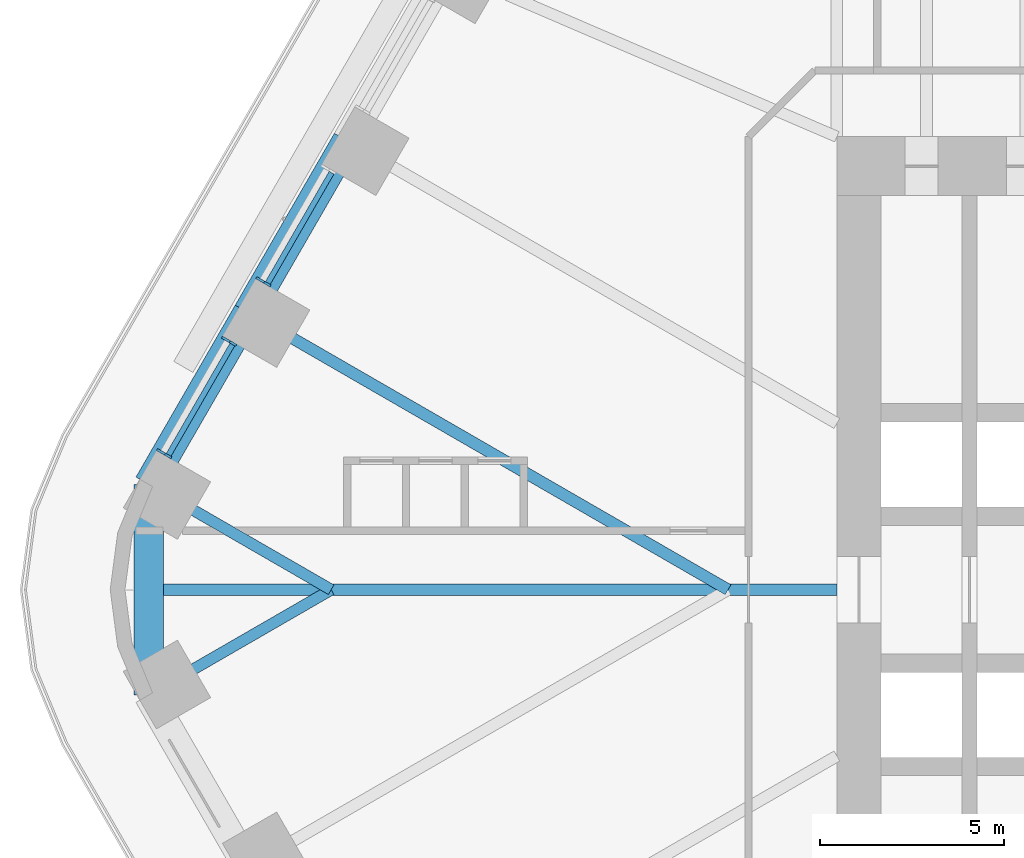
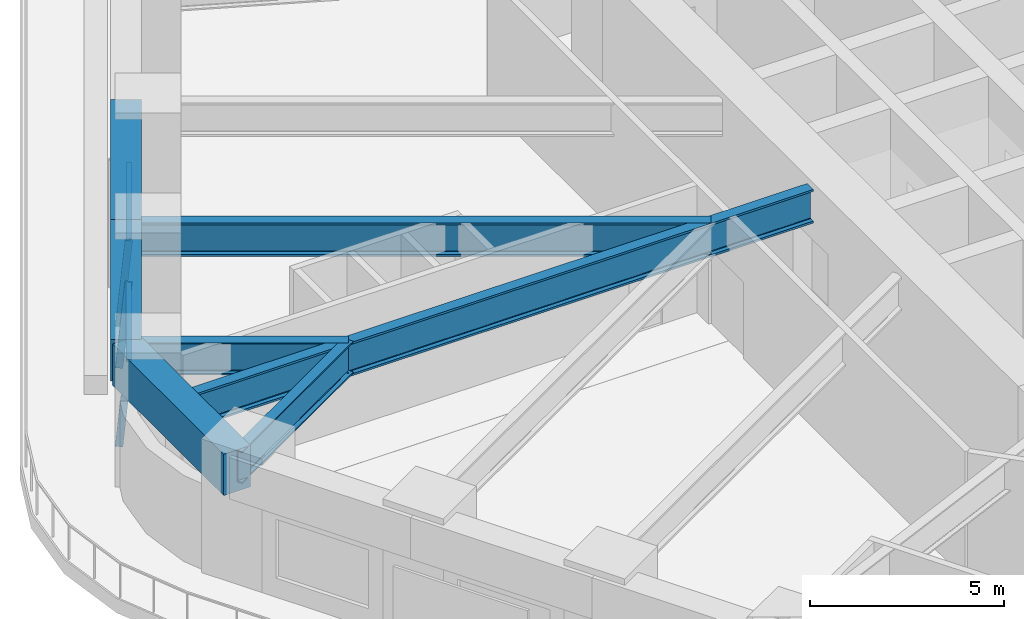
# One storey, part 6 of 23: 7 beams, 5 members, 2 elements without a shape of their own.
"""IFC4 building model written with IfcOpenShell, lengths in metres."""

import ifcopenshell
import ifcopenshell.guid

model = None  # the IFC model being written
_history = None  # IfcOwnerHistory: only IFC2X3 demands one
_inside = {}  # id of a spatial element -> (the spatial element, [elements in it])
_under = {}  # id of a project, library or spatial element -> (it, [spatial elements below it])
_declared = {}  # id of a project -> (the project, [libraries it declares])
_typed = {}  # id of a type object -> (the type object, [elements of that type])
_made_of = {}  # id of a material, layer set ... -> (it, [elements and type objects made of it])


def new_model(schema):
    """Start an empty IFC model of exactly this schema.

    Asked for "IFC4X3", IfcOpenShell would pick the latest addendum, in which some entities
    have other attributes; the version numbers below select the first issue.
    IFC2X3 requires an IfcOwnerHistory on every rooted entity: one is made here for all.
    """
    global model, _history
    if schema == "IFC4X3":
        model = ifcopenshell.file(schema_version=(4, 3, 0, 0))
    else:
        model = ifcopenshell.file(schema=schema)
    _inside.clear()
    _under.clear()
    _declared.clear()
    _typed.clear()
    _made_of.clear()
    _history = None
    if model.schema == "IFC2X3":
        org = make("IfcOrganization", Name="unknown")
        user = make(
            "IfcPersonAndOrganization",
            ThePerson=make("IfcPerson", FamilyName="unknown"),
            TheOrganization=org,
        )
        app = make(
            "IfcApplication",
            ApplicationDeveloper=org,
            Version="unknown",
            ApplicationFullName="unknown",
            ApplicationIdentifier="unknown",
        )
        _history = make(
            "IfcOwnerHistory",
            OwningUser=user,
            OwningApplication=app,
            ChangeAction="ADDED",
            CreationDate=0,
        )
    return model


def make(cls, **values):
    """One entity of the class cls with the attributes given. An attribute that is None is left unset."""
    return model.create_entity(
        cls, **{name: value for name, value in values.items() if value is not None}
    )


def rooted(cls, **values):
    """An entity with a GlobalId (a new one), such as an element, a storey or a relation."""
    return make(cls, GlobalId=ifcopenshell.guid.new(), OwnerHistory=_history, **values)


def si_unit(unit_type, name, prefix=None):
    """IfcSIUnit, for example si_unit("LENGTHUNIT", "METRE", prefix="MILLI")."""
    return make("IfcSIUnit", UnitType=unit_type, Prefix=prefix, Name=name)


def assignment(units):
    """IfcUnitAssignment: the units of a project."""
    return None if units is None else make("IfcUnitAssignment", Units=units)


def point(xyz):
    """IfcCartesianPoint."""
    return None if xyz is None else make("IfcCartesianPoint", Coordinates=xyz)


def direction(xyz):
    """IfcDirection."""
    return None if xyz is None else make("IfcDirection", DirectionRatios=xyz)


def frame(location, z_axis=None, x_axis=None):
    """IfcAxis2Placement3D, a coordinate frame: its origin and axes. An axis left out is left unset."""
    return make(
        "IfcAxis2Placement3D",
        Location=point(location),
        Axis=direction(z_axis),
        RefDirection=direction(x_axis),
    )


def frame_2d(location, x_axis=None):
    """IfcAxis2Placement2D, a coordinate frame in the plane: its origin and x axis."""
    return make(
        "IfcAxis2Placement2D", Location=point(location), RefDirection=direction(x_axis)
    )


def origin():
    """The frame at (0, 0, 0) with its axes left unset."""
    return frame((0.0, 0.0, 0.0))


def origin_2d():
    """The frame at (0, 0) in the plane with its x axis left unset."""
    return frame_2d((0.0, 0.0))


def place(relative_to, where):
    """IfcLocalPlacement: puts the frame where relative to a parent placement (None: the world)."""
    return make(
        "IfcLocalPlacement", PlacementRelTo=relative_to, RelativePlacement=where
    )


def context(
    kind, dimensions, precision=None, world=None, true_north=None, identifier=None
):
    """IfcGeometricRepresentationContext, for example the 3D "Model" context."""
    return make(
        "IfcGeometricRepresentationContext",
        ContextIdentifier=identifier,
        ContextType=kind,
        CoordinateSpaceDimension=dimensions,
        Precision=precision,
        WorldCoordinateSystem=world,
        TrueNorth=true_north,
    )


def subcontext(parent, identifier, kind, view, scale=None):
    """IfcGeometricRepresentationSubContext, for example "Body" below "Model"."""
    return make(
        "IfcGeometricRepresentationSubContext",
        ContextIdentifier=identifier,
        ContextType=kind,
        ParentContext=parent,
        TargetScale=scale,
        TargetView=view,
    )


def project(units=None, contexts=None):
    """IfcProject with its units and contexts."""
    return rooted(
        "IfcProject",
        Name="project",
        RepresentationContexts=contexts,
        UnitsInContext=assignment(units),
    )


def spatial(cls, under=None, at=None, **own):
    """A site, building, storey or space (cls), placed at a placement, below another one or the project."""
    s = rooted(cls, ObjectPlacement=at, **own)
    if under is not None:
        _under.setdefault(under.id(), (under, []))[1].append(s)
    return s


def profile(cls, at=None, kind="AREA", **sizes):
    """A parametric profile (cls). Its sizes go by their IFC names, for example OverallWidth=200.0."""
    return make(cls, ProfileType=kind, Position=at, **sizes)


def rectangle(**sizes):
    """IfcRectangleProfileDef."""
    return profile("IfcRectangleProfileDef", **sizes)


def i_section(**sizes):
    """IfcIShapeProfileDef."""
    return profile("IfcIShapeProfileDef", **sizes)


def extrude(swept, where, along, depth):
    """IfcExtrudedAreaSolid: the profile swept, set in the frame where, extruded along a direction by depth."""
    return make(
        "IfcExtrudedAreaSolid",
        SweptArea=swept,
        Position=where,
        ExtrudedDirection=direction(along),
        Depth=depth,
    )


def shape(context_of_items, identifier, shape_type, items):
    """IfcShapeRepresentation: the items that make up one representation, for example the "Body"."""
    return make(
        "IfcShapeRepresentation",
        ContextOfItems=context_of_items,
        RepresentationIdentifier=identifier,
        RepresentationType=shape_type,
        Items=items,
    )


def material(Name=None, Category=None):
    """IfcMaterial."""
    return make("IfcMaterial", Name=Name, Category=Category)


def material_profile(
    of_material, cross_section, Name=None, Category=None, Priority=None
):
    """IfcMaterialProfile: a cross section and its material."""
    return make(
        "IfcMaterialProfile",
        Name=Name,
        Material=of_material,
        Profile=cross_section,
        Priority=Priority,
        Category=Category,
    )


def profile_set(profiles, Name=None, composite=None):
    """IfcMaterialProfileSet."""
    return make(
        "IfcMaterialProfileSet",
        Name=Name,
        MaterialProfiles=profiles,
        CompositeProfile=composite,
    )


def made_of(thing, what):
    """Note that an element or type object is made of a material, layer set ...; save() writes the relation."""
    if what is not None:
        _made_of.setdefault(what.id(), (what, []))[1].append(thing)
    return thing


def type_object(cls, material=None, **own):
    """A type object (cls), such as IfcWallType, which elements share."""
    return made_of(rooted(cls, **own), material)


def element(
    cls,
    number,
    at=None,
    inside=None,
    cuts=None,
    type_object=None,
    material=None,
    context=None,
    identifier="Body",
    shape_type=None,
    held_by="IfcProductDefinitionShape",
    body=None,
    shapes=None,
    **own,
):
    """One element of the class cls, such as IfcWall. Its Tag is "e" and its number.

    at: its placement. inside: the storey or other place that contains it. cuts: it is an
    opening in that element (IfcRelVoidsElement). A single representation is given by context,
    identifier, shape_type and body (its items); several are given by shapes. held_by: the class
    of the entity that holds the representations. save() writes the other relations.
    """
    e = rooted(cls, Tag="e%d" % number, ObjectPlacement=at, **own)
    if body is not None:
        shapes = [shape(context, identifier, shape_type, body)]
    if shapes is not None:
        e.Representation = make(held_by, Representations=shapes)
    if inside is not None:
        _inside.setdefault(inside.id(), (inside, []))[1].append(e)
    if cuts is not None:
        rooted(
            "IfcRelVoidsElement", RelatingBuildingElement=cuts, RelatedOpeningElement=e
        )
    if type_object is not None:
        _typed.setdefault(type_object.id(), (type_object, []))[1].append(e)
    return made_of(e, material)


def aggregate(whole, parts):
    """IfcRelAggregates: a whole, such as a stair, and the parts it consists of."""
    return rooted("IfcRelAggregates", RelatingObject=whole, RelatedObjects=parts)


def save(model, path):
    """Write the relations noted so far, then the file.

    IfcRelAggregates (storeys below a building ...), IfcRelContainedInSpatialStructure (elements
    in a storey), IfcRelDefinesByType, IfcRelAssociatesMaterial and IfcRelDeclares: one each for
    every whole, place, type object, material and project.
    """
    for whole, parts in _under.values():
        aggregate(whole, parts)
    for where, things in _inside.values():
        rooted(
            "IfcRelContainedInSpatialStructure",
            RelatedElements=things,
            RelatingStructure=where,
        )
    for kind, things in _typed.values():
        rooted("IfcRelDefinesByType", RelatedObjects=things, RelatingType=kind)
    for what, things in _made_of.values():
        rooted("IfcRelAssociatesMaterial", RelatedObjects=things, RelatingMaterial=what)
    for by, libraries in _declared.values():
        rooted("IfcRelDeclares", RelatingContext=by, RelatedDefinitions=libraries)
    model.write(path)


model = new_model("IFC4")

# Units and contexts
model_context = context("Model", 3, precision=1e-05, world=origin(), true_north=direction((0.0, 1.0)))
body_context = subcontext(model_context, "Body", "Model", "MODEL_VIEW")
ifc_project = project(units=[si_unit("LENGTHUNIT", "METRE"), si_unit("AREAUNIT", "SQUARE_METRE"), si_unit("VOLUMEUNIT", "CUBIC_METRE"), si_unit("PLANEANGLEUNIT", "RADIAN"), si_unit("MASSUNIT", "GRAM", prefix="KILO")], contexts=[model_context])

# Site, building, storey
site_placement = place(None, origin())
site = spatial("IfcSite", under=ifc_project, at=site_placement, CompositionType="ELEMENT")
building_placement = place(site_placement, origin())
building = spatial("IfcBuilding", under=site, at=building_placement, Name="Tarfa Lantern Tower", CompositionType="ELEMENT")
storey_placement = place(building_placement, frame((0.0, 0.0, 86.5)))
storey = spatial("IfcBuildingStorey", under=building, at=storey_placement, Name="L19", CompositionType="ELEMENT", Elevation=86.5)

# Curtain wall, member
ifc_material_1 = material(Name="Aluminium framed curtain wall", Category="aluminium")
curtain_wall_type = type_object("IfcCurtainWallType", Name="CW1 CANTED GLAZING LOW ZONE 2700", PredefinedType="USERDEFINED", material=ifc_material_1)
curtain_wall_1_placement = place(storey_placement, origin())
curtain_wall_1 = element("IfcCurtainWall", 1, at=curtain_wall_1_placement, inside=storey, type_object=curtain_wall_type, Name="CW1 NW L19", ObjectType="CURTAIN WALL", PredefinedType="USERDEFINED")
ifc_material_2 = material(Name="Aluminium mullion", Category="aluminium")
ifc_material_profile_1 = material_profile(ifc_material_2, rectangle(XDim=0.06494140625, YDim=0.199951171875, at=origin_2d()), Name="AL MULLION 65x200")
ifc_profile_set_1 = profile_set([ifc_material_profile_1], Name="Aluminium mullion")
member_type_1 = type_object("IfcMemberType", Name="CWM1 MULLION 65x200", PredefinedType="MULLION", material=ifc_profile_set_1)
member_1_placement = place(storey_placement, frame((-34.280517578125, 8.42431640625, 0.0), z_axis=(0.079774955866, -0.04610020023, 0.995746317068), x_axis=(0.500342721131, 0.865827443207, 0.0)))
member_1 = element("IfcMember", 2, at=member_1_placement, type_object=member_type_1, Name="CW1 mullion 2", PredefinedType="MULLION", context=body_context, shape_type="SweptSolid", body=[
    extrude(rectangle(XDim=0.06494140625, YDim=0.199951171875, at=origin_2d()), origin(), (0.0, 0.0, 1.0), 2.71142578125),
])

# Curtain wall, members
curtain_wall_2_placement = place(storey_placement, origin())
curtain_wall_2 = element("IfcCurtainWall", 3, at=curtain_wall_2_placement, inside=storey, type_object=curtain_wall_type, Name="CW1 NW L19", ObjectType="CURTAIN WALL", PredefinedType="USERDEFINED")
member_2_placement = place(storey_placement, frame((-35.213134765625, 6.80908203125, 0.0), z_axis=(0.07986442134, -0.046099868913, 0.99573916077), x_axis=(0.499919672301, 0.866071776036, 0.0)))
member_2 = element("IfcMember", 4, at=member_2_placement, type_object=member_type_1, Name="CW1 mullion 1", PredefinedType="MULLION", context=body_context, shape_type="SweptSolid", body=[
    extrude(rectangle(XDim=0.06494140625, YDim=0.199951171875, at=origin_2d()), origin(), (0.0, 0.0, 1.0), 2.71142578125),
])
member_3_placement = place(storey_placement, frame((-36.974853515625, 3.757568359375, 0.0), z_axis=(0.07986442134, -0.046099868913, 0.99573916077), x_axis=(0.499919672301, 0.866071776036, 0.0)))
member_3 = element("IfcMember", 5, at=member_3_placement, type_object=member_type_1, Name="CW1 mullion 2", PredefinedType="MULLION", context=body_context, shape_type="SweptSolid", body=[
    extrude(rectangle(XDim=0.06494140625, YDim=0.199951171875, at=origin_2d()), origin(), (0.0, 0.0, 1.0), 2.71142578125),
])

# Member
ifc_material_3 = material(Name="Aluminium transom", Category="aluminium")
ifc_material_profile_2 = material_profile(ifc_material_3, rectangle(XDim=0.14990234375, YDim=0.06494140625, at=origin_2d()), Name="AL TRANSOM 150x65")
ifc_profile_set_2 = profile_set([ifc_material_profile_2], Name="Aluminium transom")
member_type_2 = type_object("IfcMemberType", Name="CWT1 TRANSOM 150x65", PredefinedType="USERDEFINED", material=ifc_profile_set_2)
member_4_placement = place(storey_placement, frame((-32.321044921875, 11.32421875, 2.66748046875), z_axis=(-0.500025915891, -0.866010440721, 0.0), x_axis=(0.866010440721, -0.500025915891, 0.0)))
member_4 = element("IfcMember", 6, at=member_4_placement, type_object=member_type_2, Name="CW1 transom 1.2", ObjectType="TRANSOM", PredefinedType="USERDEFINED", context=body_context, shape_type="SweptSolid", body=[
    extrude(rectangle(XDim=0.14990234375, YDim=0.06494140625, at=origin_2d()), origin(), (0.0, 0.0, 1.0), 3.458740234375),
])

aggregate(curtain_wall_1, [member_1, member_4])

member_5_placement = place(storey_placement, frame((-35.015380859375, 6.657470703125, 2.66748046875), z_axis=(-0.500025915891, -0.866010440721, 0.0), x_axis=(0.866010440721, -0.500025915891, 0.0)))
member_5 = element("IfcMember", 7, at=member_5_placement, type_object=member_type_2, Name="CW1 transom 1.2", ObjectType="TRANSOM", PredefinedType="USERDEFINED", context=body_context, shape_type="SweptSolid", body=[
    extrude(rectangle(XDim=0.14990234375, YDim=0.06494140625, at=origin_2d()), origin(), (0.0, 0.0, 1.0), 3.458740234375),
])

aggregate(curtain_wall_2, [member_2, member_3, member_5])

# Beams
ifc_material_4 = material(Name="Concrete C80/95", Category="concrete")
ifc_material_profile_3 = material_profile(ifc_material_4, rectangle(XDim=0.800048828125, YDim=1.300048828125, at=origin_2d()), Name="RC 800x1300")
ifc_profile_set_3 = profile_set([ifc_material_profile_3], Name="Concrete C80/95")
beam_type_1 = type_object("IfcBeamType", Name="EB1 RC 800x1300", PredefinedType="SPANDREL", material=ifc_profile_set_3)
beam_1_placement = place(storey_placement, frame((-31.896728515625, 12.193359375, 3.35009765625), z_axis=(-0.499998287579, -0.866026392449, 0.0), x_axis=(0.866026392449, -0.499998287579, 0.0)))
element("IfcBeam", 8, at=beam_1_placement, inside=storey, type_object=beam_type_1, Name="Edge beam NW4", PredefinedType="SPANDREL", context=body_context, shape_type="SweptSolid", body=[
    extrude(rectangle(XDim=0.800048828125, YDim=1.300048828125, at=origin_2d()), origin(), (0.0, 0.0, 1.0), 5.388671875),
])
beam_2_placement = place(storey_placement, frame((-34.591064453125, 7.526611328125, 3.35009765625), z_axis=(-0.500017906299, -0.866015065331, 0.0), x_axis=(0.866015065331, -0.500017906299, 0.0)))
element("IfcBeam", 9, at=beam_2_placement, inside=storey, type_object=beam_type_1, Name="Edge beam NW5", PredefinedType="SPANDREL", context=body_context, shape_type="SweptSolid", body=[
    extrude(rectangle(XDim=0.800048828125, YDim=1.300048828125, at=origin_2d()), origin(), (0.0, 0.0, 1.0), 5.388427734375),
])
beam_3_placement = place(storey_placement, frame((-37.285400390625, 2.860107421875, 3.35009765625), z_axis=(0.0, -1.0, 0.0), x_axis=(1.0, 0.0, 0.0)))
element("IfcBeam", 10, at=beam_3_placement, inside=storey, type_object=beam_type_1, Name="Edge beam NW6", PredefinedType="SPANDREL", context=body_context, shape_type="SweptSolid", body=[
    extrude(rectangle(XDim=0.800048828125, YDim=1.300048828125, at=origin_2d()), origin(), (0.0, 0.0, 1.0), 5.72021484375),
])
ifc_material_5 = material(Name="Steel S460M", Category="steel")
ifc_material_profile_4 = material_profile(ifc_material_5, i_section(OverallWidth=0.302001953125, OverallDepth=1.008056640625, WebThickness=0.02099609375, FlangeThickness=0.0400390625, FilletRadius=0.030029296875, at=origin_2d()), Name="UB1016x305x349")
ifc_profile_set_4 = profile_set([ifc_material_profile_4], Name="Steel S460M")
beam_type_2 = type_object("IfcBeamType", Name="UB1016x305x349", PredefinedType="BEAM", material=ifc_profile_set_4)
for number, where, z_axis, x_axis, name in (
    (11, (-37.285400390625, 2.860107421875, 3.495849609375), (0.866025668288, -0.499999541866, 0.0), (0.499999541866, 0.866025668288, 0.0), "Floor beam NW6"),
    (12, (-37.285400390625, -2.860107421875, 3.495849609375), (0.866025668288, 0.499999541866, 0.0), (-0.499999541866, 0.866025668288, 0.0), "Floor beam SW0"),
):
    element("IfcBeam", number, at=place(storey_placement, frame(where, z_axis=z_axis, x_axis=x_axis)), inside=storey, type_object=beam_type_2, Name=name, PredefinedType="BEAM", context=body_context, shape_type="SweptSolid", body=[
        extrude(i_section(OverallWidth=0.302001953125, OverallDepth=1.008056640625, WebThickness=0.02099609375, FlangeThickness=0.0400390625, FilletRadius=0.030029296875, at=origin_2d()), origin(), (0.0, 0.0, 1.0), 5.72021484375),
    ])
ifc_material_profile_5 = material_profile(ifc_material_5, i_section(OverallWidth=0.314208984375, OverallDepth=1.055908203125, WebThickness=0.035888671875, FlangeThickness=0.06396484375, FilletRadius=0.030029296875, at=origin_2d()), Name="UB1016x305x584")
ifc_profile_set_5 = profile_set([ifc_material_profile_5], Name="Steel S460M")
beam_type_3 = type_object("IfcBeamType", Name="UB1016x305x584", PredefinedType="BEAM", material=ifc_profile_set_5)
beam_4_placement = place(storey_placement, frame((-18.60009765625, 0.0, 3.471923828125), z_axis=(-1.0, 0.0, 0.0), x_axis=(0.0, -1.0, 0.0)))
element("IfcBeam", 13, at=beam_4_placement, inside=storey, type_object=beam_type_3, Name="Hip girder W", PredefinedType="BEAM", context=body_context, shape_type="SweptSolid", body=[
    extrude(i_section(OverallWidth=0.314208984375, OverallDepth=1.055908203125, WebThickness=0.035888671875, FlangeThickness=0.06396484375, FilletRadius=0.030029296875, at=origin_2d()), origin(), (0.0, 0.0, 1.0), 18.685302734375),
])
beam_5_placement = place(storey_placement, frame((-34.591064453125, 7.526611328125, 3.471923828125), z_axis=(0.86602785945, -0.499995746638, 0.0), x_axis=(0.499995746638, 0.86602785945, 0.0)))
element("IfcBeam", 14, at=beam_5_placement, inside=storey, type_object=beam_type_3, Name="Floor beam NW5", PredefinedType="BEAM", context=body_context, shape_type="SweptSolid", body=[
    extrude(i_section(OverallWidth=0.314208984375, OverallDepth=1.055908203125, WebThickness=0.035888671875, FlangeThickness=0.06396484375, FilletRadius=0.030029296875, at=origin_2d()), origin(), (0.0, 0.0, 1.0), 15.053466796875),
])

save(model, "model.ifc")
